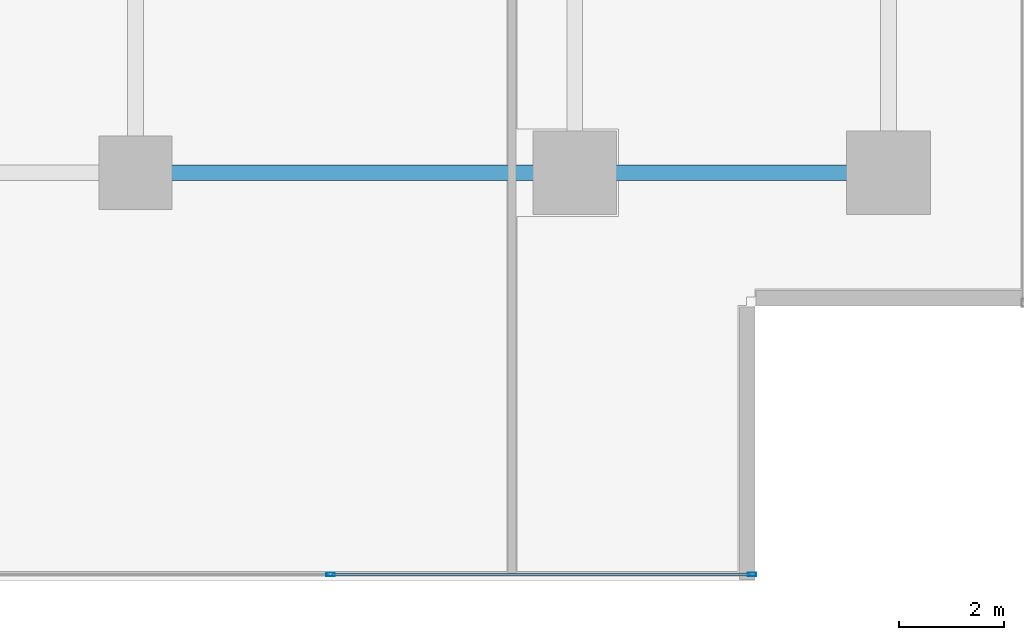
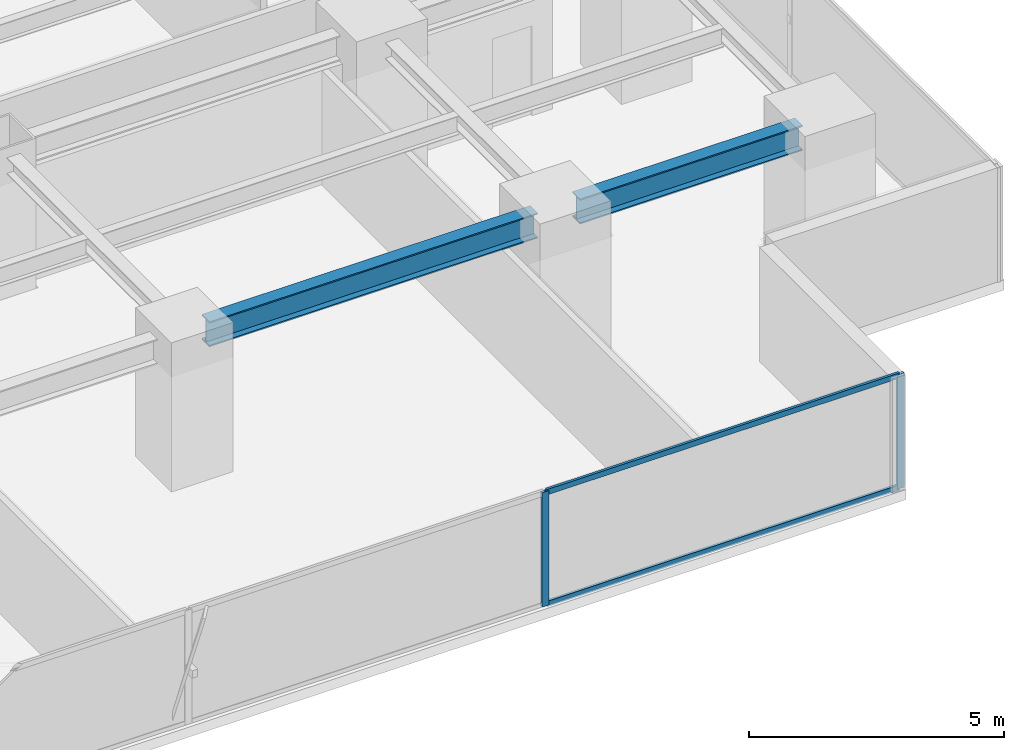
# One storey, part 12 of 36: 4 members, 2 beams, 1 element without a shape of its own.
"""IFC4 building model written with IfcOpenShell, lengths in metres."""

from ifc_helpers import new_model, si_unit, direction, frame, origin, origin_2d, place, context, subcontext, project, spatial, hollow_rectangle, i_section, extrude, source, transform, mapped, material, layer, layer_set, material_profile, profile_set, type_object, element, aggregate, save


model = new_model("IFC4")

# Units and contexts
model_context = context("Model", 3, precision=1e-05, world=origin(), true_north=direction((0.0, 1.0)))
body_context = subcontext(model_context, "Body", "Model", "MODEL_VIEW")
ifc_project = project(units=[si_unit("LENGTHUNIT", "METRE"), si_unit("AREAUNIT", "SQUARE_METRE"), si_unit("VOLUMEUNIT", "CUBIC_METRE"), si_unit("PLANEANGLEUNIT", "RADIAN"), si_unit("MASSUNIT", "GRAM", prefix="KILO")], contexts=[model_context])

# Site, building, storey
site_placement = place(None, origin())
site = spatial("IfcSite", under=ifc_project, at=site_placement, CompositionType="ELEMENT")
building_placement = place(site_placement, origin())
building = spatial("IfcBuilding", under=site, at=building_placement, Name="Sumidabori Civic Tower", CompositionType="ELEMENT")
storey_placement = place(building_placement, frame((0.0, 0.0, 92.0)))
storey = spatial("IfcBuildingStorey", under=building, at=storey_placement, Name="L23", CompositionType="ELEMENT", Elevation=92.0)

# Beams
ifc_material_1 = material(Name="Steel SN490", Category="steel")
ifc_material_profile_1 = material_profile(ifc_material_1, i_section(OverallWidth=0.300048828125, OverallDepth=0.60009765625, WebThickness=0.015380859375, FlangeThickness=0.030029296875, at=origin_2d()), Name="HE 600 B")
ifc_profile_set_1 = profile_set([ifc_material_profile_1], Name="Steel SN490")
beam_type = type_object("IfcBeamType", Name="BM-GIRD-600", PredefinedType="BEAM", material=ifc_profile_set_1)
shared_shape_1 = source(origin(), body_context, "Body", "SweptSolid", [
    extrude(i_section(OverallWidth=0.300048828125, OverallDepth=0.60009765625, WebThickness=0.015380859375, FlangeThickness=0.030029296875, at=origin_2d()), origin(), (0.0, 0.0, 1.0), 5.0400390625),
])
beam_1_placement = place(storey_placement, frame((17.280029296875, -18.0, 3.06005859375), z_axis=(1.0, 0.0, 0.0), x_axis=(0.0, 1.0, 0.0)))
element("IfcBeam", 1, at=beam_1_placement, inside=storey, type_object=beam_type, Name="Primary Girder L23 GX-06", PredefinedType="BEAM", context=body_context, shape_type="MappedRepresentation", body=[
    mapped(shared_shape_1, transform((0.0, 0.0, 0.0), x_axis=(1.0, 0.0, 0.0), y_axis=(0.0, 1.0, 0.0), z_axis=(0.0, 0.0, 1.0), scale=1.0)),
])
shared_shape_2 = source(origin(), body_context, "Body", "SweptSolid", [
    extrude(i_section(OverallWidth=0.300048828125, OverallDepth=0.60009765625, WebThickness=0.015380859375, FlangeThickness=0.030029296875, at=origin_2d()), origin(), (0.0, 0.0, 1.0), 7.440185546875),
])
beam_2_placement = place(storey_placement, frame((8.8798828125, -18.0, 3.06005859375), z_axis=(1.0, 0.0, 0.0), x_axis=(0.0, 1.0, 0.0)))
element("IfcBeam", 2, at=beam_2_placement, inside=storey, type_object=beam_type, Name="Primary Girder L23 GX-05", PredefinedType="BEAM", context=body_context, shape_type="MappedRepresentation", body=[
    mapped(shared_shape_2, transform((0.0, 0.0, 0.0), x_axis=(1.0, 0.0, 0.0), y_axis=(0.0, 1.0, 0.0), z_axis=(0.0, 0.0, 1.0), scale=1.0)),
])

# Curtain wall, members
ifc_material_2 = material(Name="Anodised Bronze Aluminium AW-6063-T6", Category="aluminium")
ifc_layer = layer(ifc_material_2, 0.179931640625, Name="Anodised Bronze Aluminium AW-6063-T6")
ifc_layer_set = layer_set([ifc_layer], Name="Anodised Bronze Aluminium AW-6063-T6")
curtain_wall_type = type_object("IfcCurtainWallType", Name="CW-SYS-3", PredefinedType="NOTDEFINED", material=ifc_layer_set)
curtain_wall_placement = place(storey_placement, origin())
curtain_wall = element("IfcCurtainWall", 3, at=curtain_wall_placement, inside=storey, type_object=curtain_wall_type, Name="Curtain Wall CW:L23:R01", PredefinedType="NOTDEFINED")
ifc_material_profile_2 = material_profile(ifc_material_2, hollow_rectangle(XDim=0.06494140625, YDim=0.159912109375, WallThickness=0.0048828125, at=origin_2d()), Name="ALU MULLION 160x65")
ifc_profile_set_2 = profile_set([ifc_material_profile_2], Name="Anodised Bronze Aluminium AW-6063-T6")
member_type_1 = type_object("IfcMemberType", Name="CW-MUL-160", PredefinedType="MULLION", material=ifc_profile_set_2)
shared_shape_3 = source(origin(), body_context, "Body", "SweptSolid", [
    extrude(hollow_rectangle(XDim=0.06494140625, YDim=0.159912109375, WallThickness=0.0048828125, at=origin_2d()), origin(), (0.0, 0.0, 1.0), 2.739990234375),
])
member_1_placement = place(storey_placement, frame((12.132080078125, -25.679931640625, 0.0), z_axis=(0.0, 0.0, 1.0), x_axis=(0.0, 1.0, 0.0)))
member_1 = element("IfcMember", 4, at=member_1_placement, type_object=member_type_1, Name="CW-3 mullion 5", PredefinedType="MULLION", context=body_context, shape_type="MappedRepresentation", body=[
    mapped(shared_shape_3, transform((0.0, 0.0, 0.0), x_axis=(1.0, 0.0, 0.0), y_axis=(0.0, 1.0, 0.0), z_axis=(0.0, 0.0, 1.0), scale=1.0)),
])
member_2_placement = place(storey_placement, frame((20.1875, -25.679931640625, 0.0), z_axis=(0.0, 0.0, 1.0), x_axis=(0.0, 1.0, 0.0)))
member_2 = element("IfcMember", 5, at=member_2_placement, type_object=member_type_1, Name="CW-3 mullion 6", PredefinedType="MULLION", context=body_context, shape_type="MappedRepresentation", body=[
    mapped(shared_shape_3, transform((0.0, 0.0, 0.0), x_axis=(1.0, 0.0, 0.0), y_axis=(0.0, 1.0, 0.0), z_axis=(0.0, 0.0, 1.0), scale=1.0)),
])
ifc_material_profile_3 = material_profile(ifc_material_2, hollow_rectangle(XDim=0.06005859375, YDim=0.1298828125, WallThickness=0.0048828125, at=origin_2d()), Name="ALU TRANSOM 130x60")
ifc_profile_set_3 = profile_set([ifc_material_profile_3], Name="Anodised Bronze Aluminium AW-6063-T6")
member_type_2 = type_object("IfcMemberType", Name="CW-TRN-130", PredefinedType="USERDEFINED", material=ifc_profile_set_3)
shared_shape_4 = source(origin(), body_context, "Body", "SweptSolid", [
    extrude(hollow_rectangle(XDim=0.06005859375, YDim=0.1298828125, WallThickness=0.0048828125, at=origin_2d()), origin(), (0.0, 0.0, 1.0), 7.990478515625),
])
member_3_placement = place(storey_placement, frame((12.16455078125, -25.679931640625, 0.030029296875), z_axis=(1.0, 0.0, 0.0), x_axis=(0.0, 1.0, 0.0)))
member_3 = element("IfcMember", 6, at=member_3_placement, type_object=member_type_2, Name="CW-3 transom 5.1", ObjectType="TRANSOM", PredefinedType="USERDEFINED", context=body_context, shape_type="MappedRepresentation", body=[
    mapped(shared_shape_4, transform((0.0, 0.0, 0.0), x_axis=(1.0, 0.0, 0.0), y_axis=(0.0, 1.0, 0.0), z_axis=(0.0, 0.0, 1.0), scale=1.0)),
])
member_4_placement = place(storey_placement, frame((12.16455078125, -25.679931640625, 2.7099609375), z_axis=(1.0, 0.0, 0.0), x_axis=(0.0, 1.0, 0.0)))
member_4 = element("IfcMember", 7, at=member_4_placement, type_object=member_type_2, Name="CW-3 transom 5.2", ObjectType="TRANSOM", PredefinedType="USERDEFINED", context=body_context, shape_type="MappedRepresentation", body=[
    mapped(shared_shape_4, transform((0.0, 0.0, 0.0), x_axis=(1.0, 0.0, 0.0), y_axis=(0.0, 1.0, 0.0), z_axis=(0.0, 0.0, 1.0), scale=1.0)),
])
aggregate(curtain_wall, [member_1, member_2, member_3, member_4])

save(model, "model.ifc")
